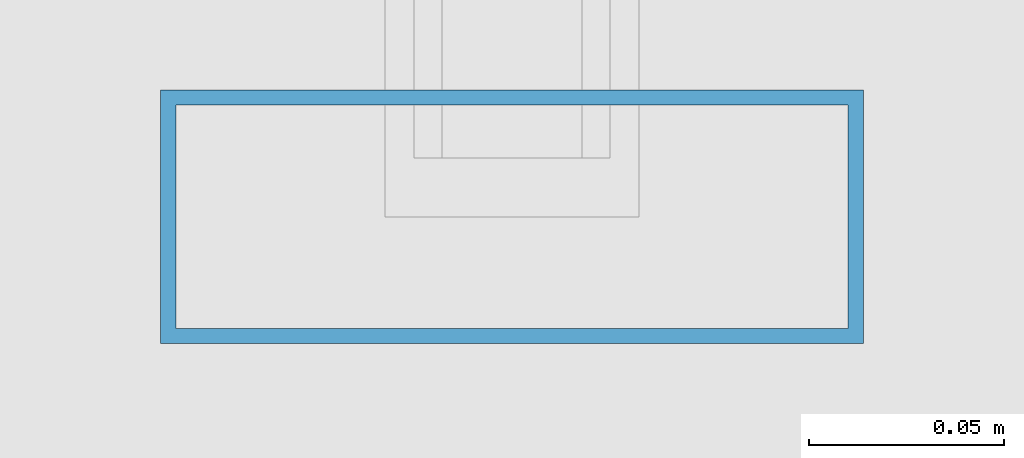
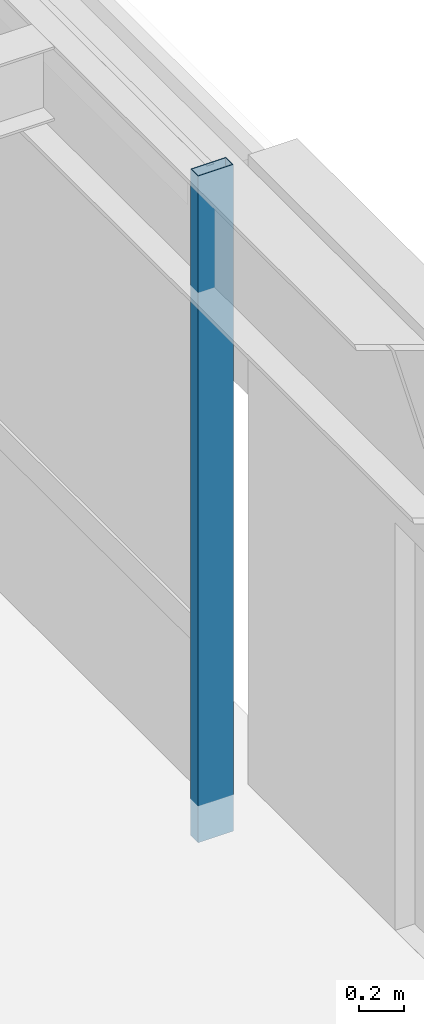
# One storey, part 14 of 29: 1 member, 1 element without a shape of its own.
"""IFC4 building model written with IfcOpenShell, lengths in metres."""

from ifc_helpers import new_model, si_unit, direction, frame, origin, origin_2d, place, context, subcontext, project, spatial, hollow_rectangle, extrude, material, layer, layer_set, material_profile, profile_set, type_object, element, aggregate, save


model = new_model("IFC4")

# Units and contexts
model_context = context("Model", 3, precision=1e-05, world=origin(), true_north=direction((0.0, 1.0)))
body_context = subcontext(model_context, "Body", "Model", "MODEL_VIEW")
ifc_project = project(units=[si_unit("LENGTHUNIT", "METRE"), si_unit("AREAUNIT", "SQUARE_METRE"), si_unit("VOLUMEUNIT", "CUBIC_METRE"), si_unit("PLANEANGLEUNIT", "RADIAN"), si_unit("MASSUNIT", "GRAM", prefix="KILO")], contexts=[model_context])

# Site, building, storey
site_placement = place(None, origin())
site = spatial("IfcSite", under=ifc_project, at=site_placement, CompositionType="ELEMENT")
building_placement = place(site_placement, origin())
building = spatial("IfcBuilding", under=site, at=building_placement, Name="Brelmoor Portico Tower", CompositionType="ELEMENT")
storey_placement = place(building_placement, frame((0.0, 0.0, 95.39990234375)))
storey = spatial("IfcBuildingStorey", under=building, at=storey_placement, Name="L24", CompositionType="ELEMENT", Elevation=95.39990234375)

# Curtain wall, member
ifc_material = material(Name="Anodised Aluminium Alloy 6063-T6", Category="aluminium")
ifc_layer = layer(ifc_material, 0.179931640625)
ifc_layer_set = layer_set([ifc_layer], Name="Anodised Aluminium Alloy 6063-T6")
curtain_wall_type = type_object("IfcCurtainWallType", Name="CW-TOWER-Z2", PredefinedType="NOTDEFINED", material=ifc_layer_set)
curtain_wall_placement = place(storey_placement, origin())
curtain_wall = element("IfcCurtainWall", 1, at=curtain_wall_placement, inside=storey, type_object=curtain_wall_type, Name="L24 Curtain Wall CW-L24-4R-1", PredefinedType="NOTDEFINED")
ifc_material_profile = material_profile(ifc_material, hollow_rectangle(XDim=0.06494140625, YDim=0.179931640625, WallThickness=0.00390625, at=origin_2d()), Name="ALU MULLION 65x180")
ifc_profile_set = profile_set([ifc_material_profile], Name="Anodised Aluminium Alloy 6063-T6")
member_type = type_object("IfcMemberType", Name="MB-CW-MULL-180", PredefinedType="MULLION", material=ifc_profile_set)
member_placement = place(storey_placement, frame((22.550048828125, -4.5, -0.199951171875), z_axis=(0.0, 0.0, 1.0), x_axis=(0.0, 1.0, 0.0)))
member = element("IfcMember", 2, at=member_placement, type_object=member_type, Name="CW-L24-4R-1 Mullion 00", PredefinedType="MULLION", context=body_context, shape_type="SweptSolid", body=[
    extrude(hollow_rectangle(XDim=0.06494140625, YDim=0.179931640625, WallThickness=0.00390625, at=origin_2d()), origin(), (0.0, 0.0, 1.0), 3.60009765625),
])
aggregate(curtain_wall, [member])

save(model, "model.ifc")
